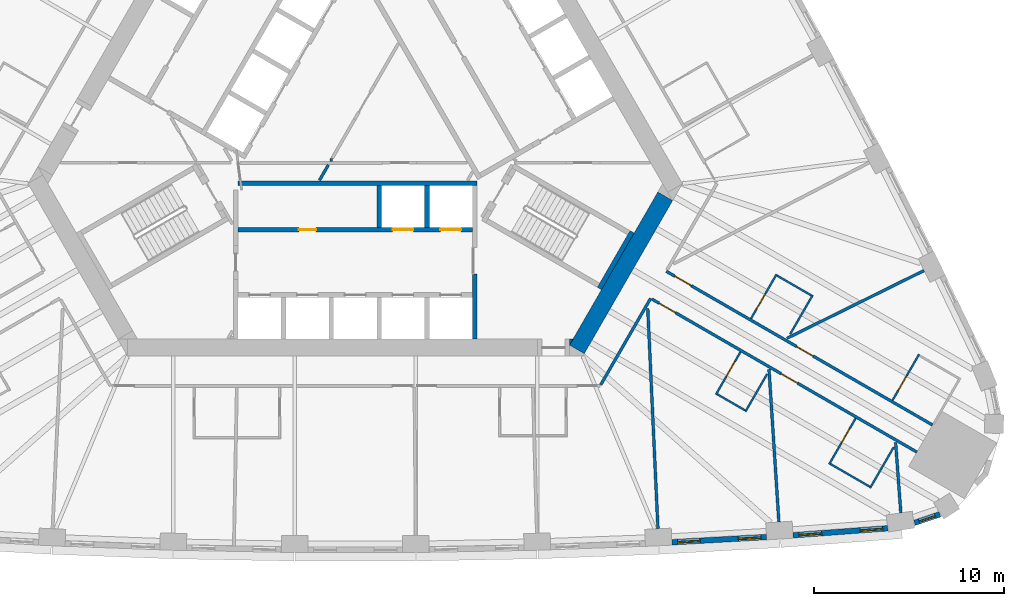
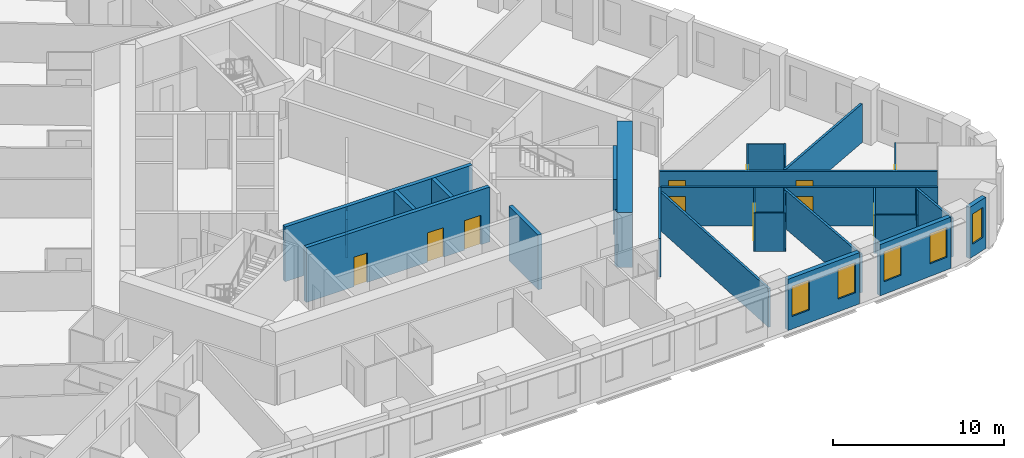
# One storey, part 7 of 13: 30 walls, 11 doors, 5 windows, 16 openings.
"""IFC4 building model written with IfcOpenShell, lengths in metres."""

from ifc_helpers import new_model, si_unit, direction, frame, frame_2d, origin, place, context, subcontext, project, spatial, polyline, rectangle, outline, extrude, material, layer, layer_set, type_object, element, fill, save


model = new_model("IFC4")

# Units and contexts
model_context = context("Model", 3, precision=1e-05, world=origin(), true_north=direction((0.0, 1.0)))
body_context = subcontext(model_context, "Body", "Model", "MODEL_VIEW")
ifc_project = project(units=[si_unit("LENGTHUNIT", "METRE"), si_unit("AREAUNIT", "SQUARE_METRE"), si_unit("VOLUMEUNIT", "CUBIC_METRE"), si_unit("PLANEANGLEUNIT", "RADIAN"), si_unit("MASSUNIT", "GRAM", prefix="KILO")], contexts=[model_context])

# Site, building, storey
site_placement = place(None, origin())
site = spatial("IfcSite", under=ifc_project, at=site_placement, CompositionType="ELEMENT")
building_placement = place(site_placement, origin())
building = spatial("IfcBuilding", under=site, at=building_placement, Name="Mestral Congress Tower", CompositionType="ELEMENT")
storey_placement = place(building_placement, frame((0.0, 0.0, 58.800048828125)))
storey = spatial("IfcBuildingStorey", under=building, at=storey_placement, Name="L13", CompositionType="ELEMENT", Elevation=58.800048828125)

# Walls
ifc_material_1 = material(Name="Fire-rated board partition")
ifc_layer_1 = layer(ifc_material_1, 0.14990234375)
ifc_layer_set_1 = layer_set([ifc_layer_1], Name="Fire-rated board partition")
wall_type_1 = type_object("IfcWallType", Name="Core partition 150", PredefinedType="PARTITIONING", material=ifc_layer_set_1)
wall_1_placement = place(storey_placement, frame((-1.886962890625, -3.71826171875, 0.0), z_axis=(0.0, 0.0, 1.0), x_axis=(0.499842898591, 0.866116087328, 0.0)))
element("IfcWall", 1, at=wall_1_placement, inside=storey, type_object=wall_type_1, Name="L13 core wall", PredefinedType="PARTITIONING", context=body_context, shape_type="SweptSolid", body=[
    extrude(rectangle(XDim=0.935791015625, YDim=0.14990234375, at=frame_2d((0.4677734375, 0.0))), origin(), (0.0, 0.0, 1.0), 2.75),
])
wall_2_placement = place(storey_placement, frame((-1.2119140625, -2.65087890625, 0.0), z_axis=(0.0, 0.0, 1.0), x_axis=(-1.0, 0.0, 0.0)))
element("IfcWall", 2, at=wall_2_placement, inside=storey, type_object=wall_type_1, Name="L13 core wall", PredefinedType="PARTITIONING", context=body_context, shape_type="SweptSolid", body=[
    extrude(rectangle(XDim=0.10791015625, YDim=0.14990234375, at=frame_2d((0.053955078125, 0.0))), origin(), (0.0, 0.0, 1.0), 2.75),
])
ifc_material_2 = material(Name="Concrete C60/75", Category="concrete")
ifc_layer_2 = layer(ifc_material_2, 0.89990234375)
ifc_layer_set_2 = layer_set([ifc_layer_2], Name="Concrete C60/75")
wall_type_2 = type_object("IfcWallType", Name="Core wall RC 900", PredefinedType="SOLIDWALL", material=ifc_layer_set_2)
wall_3_placement = place(storey_placement, frame((11.69482421875, -12.643798828125, 0.0), z_axis=(0.0, 0.0, 1.0), x_axis=(0.500010229568, 0.86601949766, 0.0)))
element("IfcWall", 3, at=wall_3_placement, inside=storey, type_object=wall_type_2, Name="L13 core wall", PredefinedType="SOLIDWALL", context=body_context, shape_type="SweptSolid", body=[
    extrude(rectangle(XDim=9.326416015625, YDim=0.89990234375, at=frame_2d((4.6630859375, 0.0))), origin(), (0.0, 0.0, 1.0), 3.89990234375),
])
wall_4_placement = place(storey_placement, origin())
element("IfcWall", 4, at=wall_4_placement, inside=storey, type_object=wall_type_2, Name="L13 core wall", PredefinedType="SOLIDWALL", context=body_context, shape_type="SweptSolid", body=[
    extrude(outline(polyline([(11.4892578125, -12.10009765625), (11.31201171875, -12.4072265625), (11.31201171875, -12.10009765625), (11.4892578125, -12.10009765625)])), origin(), (0.0, 0.0, 1.0), 3.89990234375),
])

# Wall, openings, windows
ifc_material_3 = material(Name="Precast concrete C40/50 with limestone facing", Category="masonry")
ifc_layer_3 = layer(ifc_material_3, 0.2900390625)
ifc_layer_set_3 = layer_set([ifc_layer_3], Name="Precast concrete C40/50 with limestone facing")
wall_type_3 = type_object("IfcWallType", Name="Facade stone wall 290", PredefinedType="SOLIDWALL", material=ifc_layer_set_3)
wall_5_placement = place(storey_placement, frame((16.7109375, -22.823974609375, 0.0), z_axis=(0.0, 0.0, 1.0), x_axis=(0.998464708705, 0.055391564976, 0.0)))
wall_5 = element("IfcWall", 5, at=wall_5_placement, inside=storey, type_object=wall_type_3, Name="Facade wall F0-07", PredefinedType="SOLIDWALL", context=body_context, shape_type="SweptSolid", body=[
    extrude(rectangle(XDim=4.998046875, YDim=0.2900390625, at=frame_2d((2.4990234375, 0.0))), origin(), (0.0, 0.0, 1.0), 3.64990234375),
])
opening_1_placement = place(wall_5_placement, frame((0.297119140625, 0.0, 0.89990234375)))
opening_1 = element("IfcOpeningElement", 6, at=opening_1_placement, cuts=wall_5, Name="Opening W1", PredefinedType="OPENING", context=body_context, shape_type="SweptSolid", body=[
    extrude(rectangle(XDim=1.199951171875, YDim=2.14990234375, at=frame_2d((0.60009765625, 1.074951171875))), frame((0.0, 0.155029296875, 0.0), z_axis=(0.0, -1.0, 0.0), x_axis=(1.0, 0.0, 0.0)), (0.0, 0.0, 1.0), 0.31005859375),
])
opening_2_placement = place(wall_5_placement, frame((3.501220703125, 0.0, 0.89990234375)))
opening_2 = element("IfcOpeningElement", 7, at=opening_2_placement, cuts=wall_5, Name="Opening W1", PredefinedType="OPENING", context=body_context, shape_type="SweptSolid", body=[
    extrude(rectangle(XDim=1.199951171875, YDim=2.14990234375, at=frame_2d((0.60009765625, 1.074951171875))), frame((0.0, 0.155029296875, 0.0), z_axis=(0.0, -1.0, 0.0), x_axis=(1.0, 0.0, 0.0)), (0.0, 0.0, 1.0), 0.31005859375),
])
ifc_material_4 = material(Name="Clear low-emissivity double glazing", Category="glass")
window_type_1 = type_object("IfcWindowType", Name="Facade punched window 1200 x 2150 sill 900", PartitioningType="DOUBLE_PANEL_VERTICAL", PredefinedType="WINDOW", material=ifc_material_4)
window_1_placement = place(opening_1_placement, origin())
window_1 = element("IfcWindow", 8, at=window_1_placement, inside=storey, type_object=window_type_1, Name="Window F0-07a", OverallHeight=2.14990234375, OverallWidth=1.199951171875, PartitioningType="DOUBLE_PANEL_VERTICAL", PredefinedType="WINDOW", context=body_context, shape_type="SweptSolid", body=[
    extrude(rectangle(XDim=1.199951171875, YDim=2.14990234375, at=frame_2d((0.60009765625, 1.074951171875))), frame((0.0, 0.01513671875, 0.0), z_axis=(0.0, -1.0, 0.0), x_axis=(1.0, 0.0, 0.0)), (0.0, 0.0, 1.0), 0.06005859375),
])
fill(opening_1, window_1)
window_2_placement = place(opening_2_placement, origin())
window_2 = element("IfcWindow", 9, at=window_2_placement, inside=storey, type_object=window_type_1, Name="Window F0-07b", OverallHeight=2.14990234375, OverallWidth=1.199951171875, PartitioningType="DOUBLE_PANEL_VERTICAL", PredefinedType="WINDOW", context=body_context, shape_type="SweptSolid", body=[
    extrude(rectangle(XDim=1.199951171875, YDim=2.14990234375, at=frame_2d((0.60009765625, 1.074951171875))), frame((0.0, 0.01513671875, 0.0), z_axis=(0.0, -1.0, 0.0), x_axis=(1.0, 0.0, 0.0)), (0.0, 0.0, 1.0), 0.06005859375),
])
fill(opening_2, window_2)

wall_6_placement = place(storey_placement, frame((23.10595703125, -22.4560546875, 0.0), z_axis=(0.0, 0.0, 1.0), x_axis=(0.997266290399, 0.073891447643, 0.0)))
wall_6 = element("IfcWall", 10, at=wall_6_placement, inside=storey, type_object=wall_type_3, Name="Facade wall F0-08", PredefinedType="SOLIDWALL", context=body_context, shape_type="SweptSolid", body=[
    extrude(rectangle(XDim=5.005615234375, YDim=0.2900390625, at=frame_2d((2.5029296875, 0.0))), origin(), (0.0, 0.0, 1.0), 3.64990234375),
])
opening_3_placement = place(wall_6_placement, frame((0.31005859375, 0.0, 0.89990234375)))
opening_3 = element("IfcOpeningElement", 11, at=opening_3_placement, cuts=wall_6, Name="Opening W1", PredefinedType="OPENING", context=body_context, shape_type="SweptSolid", body=[
    extrude(rectangle(XDim=1.199951171875, YDim=2.14990234375, at=frame_2d((0.60009765625, 1.074951171875))), frame((0.0, 0.155029296875, 0.0), z_axis=(0.0, -1.0, 0.0), x_axis=(1.0, 0.0, 0.0)), (0.0, 0.0, 1.0), 0.31005859375),
])
opening_4_placement = place(wall_6_placement, frame((3.540283203125, 0.0, 0.89990234375)))
opening_4 = element("IfcOpeningElement", 12, at=opening_4_placement, cuts=wall_6, Name="Opening W1", PredefinedType="OPENING", context=body_context, shape_type="SweptSolid", body=[
    extrude(rectangle(XDim=1.199951171875, YDim=2.14990234375, at=frame_2d((0.60009765625, 1.074951171875))), frame((0.0, 0.155029296875, 0.0), z_axis=(0.0, -1.0, 0.0), x_axis=(1.0, 0.0, 0.0)), (0.0, 0.0, 1.0), 0.31005859375),
])
window_3_placement = place(opening_3_placement, origin())
window_3 = element("IfcWindow", 13, at=window_3_placement, inside=storey, type_object=window_type_1, Name="Window F0-08a", OverallHeight=2.14990234375, OverallWidth=1.199951171875, PartitioningType="DOUBLE_PANEL_VERTICAL", PredefinedType="WINDOW", context=body_context, shape_type="SweptSolid", body=[
    extrude(rectangle(XDim=1.199951171875, YDim=2.14990234375, at=frame_2d((0.60009765625, 1.074951171875))), frame((0.0, 0.01513671875, 0.0), z_axis=(0.0, -1.0, 0.0), x_axis=(1.0, 0.0, 0.0)), (0.0, 0.0, 1.0), 0.06005859375),
])
fill(opening_3, window_3)
window_4_placement = place(opening_4_placement, origin())
window_4 = element("IfcWindow", 14, at=window_4_placement, inside=storey, type_object=window_type_1, Name="Window F0-08b", OverallHeight=2.14990234375, OverallWidth=1.199951171875, PartitioningType="DOUBLE_PANEL_VERTICAL", PredefinedType="WINDOW", context=body_context, shape_type="SweptSolid", body=[
    extrude(rectangle(XDim=1.199951171875, YDim=2.14990234375, at=frame_2d((0.60009765625, 1.074951171875))), frame((0.0, 0.01513671875, 0.0), z_axis=(0.0, -1.0, 0.0), x_axis=(1.0, 0.0, 0.0)), (0.0, 0.0, 1.0), 0.06005859375),
])
fill(opening_4, window_4)

# Wall, opening, window
wall_7_placement = place(storey_placement, frame((29.51171875, -21.80224609375, 0.0), z_axis=(0.0, 0.0, 1.0), x_axis=(0.947903891592, 0.318556450734, 0.0)))
wall_7 = element("IfcWall", 15, at=wall_7_placement, inside=storey, type_object=wall_type_3, Name="Facade wall K0-0", PredefinedType="SOLIDWALL", context=body_context, shape_type="SweptSolid", body=[
    extrude(rectangle(XDim=1.414794921875, YDim=0.2900390625, at=frame_2d((0.70751953125, 0.0))), origin(), (0.0, 0.0, 1.0), 3.64990234375),
])
opening_5_placement = place(wall_7_placement, frame((0.25732421875, 0.0, 0.89990234375)))
opening_5 = element("IfcOpeningElement", 16, at=opening_5_placement, cuts=wall_7, Name="Opening W3", PredefinedType="OPENING", context=body_context, shape_type="SweptSolid", body=[
    extrude(rectangle(XDim=0.89990234375, YDim=2.14990234375, at=frame_2d((0.449951171875, 1.074951171875))), frame((0.0, 0.155029296875, 0.0), z_axis=(0.0, -1.0, 0.0), x_axis=(1.0, 0.0, 0.0)), (0.0, 0.0, 1.0), 0.31005859375),
])
window_type_2 = type_object("IfcWindowType", Name="Facade punched window 900 x 2150 sill 900", PartitioningType="SINGLE_PANEL", PredefinedType="WINDOW", material=ifc_material_4)
window_5_placement = place(opening_5_placement, origin())
window_5 = element("IfcWindow", 17, at=window_5_placement, inside=storey, type_object=window_type_2, Name="Window K0-0", OverallHeight=2.14990234375, OverallWidth=0.89990234375, PartitioningType="SINGLE_PANEL", PredefinedType="WINDOW", context=body_context, shape_type="SweptSolid", body=[
    extrude(rectangle(XDim=0.89990234375, YDim=2.14990234375, at=frame_2d((0.449951171875, 1.074951171875))), frame((0.0, 0.01513671875, 0.0), z_axis=(0.0, -1.0, 0.0), x_axis=(1.0, 0.0, 0.0)), (0.0, 0.0, 1.0), 0.06005859375),
])
fill(opening_5, window_5)

# Wall, opening, door
ifc_material_5 = material(Name="Gypsum board partition on metal studs with mineral wool", Category="composite")
ifc_layer_4 = layer(ifc_material_5, 0.10009765625)
ifc_layer_set_4 = layer_set([ifc_layer_4], Name="Gypsum board partition on metal studs with mineral wool")
wall_type_4 = type_object("IfcWallType", Name="Hotel partition wall 100", PredefinedType="PARTITIONING", material=ifc_layer_set_4)
wall_8_placement = place(storey_placement, frame((20.330078125, -12.77685546875, 0.0), z_axis=(0.0, 0.0, 1.0), x_axis=(-0.500006934395, -0.866021400173, 0.0)))
wall_8 = element("IfcWall", 18, at=wall_8_placement, inside=storey, type_object=wall_type_4, Name="L13-h-pod07a", PredefinedType="PARTITIONING", context=body_context, shape_type="SweptSolid", body=[
    extrude(rectangle(XDim=2.60009765625, YDim=0.10009765625, at=frame_2d((1.300048828125, 0.0))), origin(), (0.0, 0.0, 1.0), 2.75),
])
opening_6_placement = place(wall_8_placement, frame((0.60009765625, 0.0, 0.0)))
opening_6 = element("IfcOpeningElement", 19, at=opening_6_placement, cuts=wall_8, Name="Opening H03-014", PredefinedType="OPENING", context=body_context, shape_type="SweptSolid", body=[
    extrude(rectangle(XDim=0.89990234375, YDim=2.10009765625, at=frame_2d((0.449951171875, 1.050048828125))), frame((0.0, 0.06005859375, 0.0), z_axis=(0.0, -1.0, 0.0), x_axis=(1.0, 0.0, 0.0)), (0.0, 0.0, 1.0), 0.1201171875),
])
ifc_material_6 = material(Name="Timber veneer door leaf in timber frame", Category="wood")
door_type_1 = type_object("IfcDoorType", Name="Bathroom door 900", OperationType="SINGLE_SWING_LEFT", PredefinedType="DOOR", material=ifc_material_6)
door_1_placement = place(opening_6_placement, origin())
door_1 = element("IfcDoor", 20, at=door_1_placement, inside=storey, type_object=door_type_1, Name="L13-h-d014", OperationType="SINGLE_SWING_LEFT", OverallHeight=2.10009765625, OverallWidth=0.89990234375, PredefinedType="DOOR", context=body_context, shape_type="SweptSolid", body=[
    extrude(rectangle(XDim=0.89990234375, YDim=2.10009765625, at=frame_2d((0.449951171875, 1.050048828125))), frame((0.0, 0.02490234375, 0.0), z_axis=(0.0, -1.0, 0.0), x_axis=(1.0, 0.0, 0.0)), (0.0, 0.0, 1.0), 0.050048828125),
])
fill(opening_6, door_1)

# Walls
wall_9_placement = place(storey_placement, frame((19.098388671875, -15.01025390625, 0.0), z_axis=(0.0, 0.0, 1.0), x_axis=(0.86605165483, -0.499954529098, 0.0)))
element("IfcWall", 21, at=wall_9_placement, inside=storey, type_object=wall_type_4, Name="L13-h-pod07b", PredefinedType="PARTITIONING", context=body_context, shape_type="SweptSolid", body=[
    extrude(rectangle(XDim=1.699951171875, YDim=0.10009765625, at=frame_2d((0.85009765625, 0.0))), origin(), (0.0, 0.0, 1.0), 2.75),
])
wall_10_placement = place(storey_placement, frame((21.73388671875, -13.9453125, 0.0), z_axis=(0.0, 0.0, 1.0), x_axis=(-0.500014693593, -0.866016920268, 0.0)))
element("IfcWall", 22, at=wall_10_placement, inside=storey, type_object=wall_type_4, Name="L13-h-pod07c", PredefinedType="PARTITIONING", context=body_context, shape_type="SweptSolid", body=[
    extrude(rectangle(XDim=2.2900390625, YDim=0.10009765625, at=frame_2d((1.14501953125, 0.0))), origin(), (0.0, 0.0, 1.0), 2.75),
])

# Wall, opening, door
wall_11_placement = place(storey_placement, frame((26.40478515625, -16.2841796875, 0.0), z_axis=(0.0, 0.0, 1.0), x_axis=(-0.49998411664, -0.866034573852, 0.0)))
wall_11 = element("IfcWall", 23, at=wall_11_placement, inside=storey, type_object=wall_type_4, Name="L13-h-pod08a", PredefinedType="PARTITIONING", context=body_context, shape_type="SweptSolid", body=[
    extrude(rectangle(XDim=2.7998046875, YDim=0.10009765625, at=frame_2d((1.39990234375, 0.0))), origin(), (0.0, 0.0, 1.0), 2.75),
])
opening_7_placement = place(wall_11_placement, frame((0.60009765625, 0.0, 0.0)))
opening_7 = element("IfcOpeningElement", 24, at=opening_7_placement, cuts=wall_11, Name="Opening H03-016", PredefinedType="OPENING", context=body_context, shape_type="SweptSolid", body=[
    extrude(rectangle(XDim=0.89990234375, YDim=2.10009765625, at=frame_2d((0.449951171875, 1.050048828125))), frame((0.0, 0.06005859375, 0.0), z_axis=(0.0, -1.0, 0.0), x_axis=(1.0, 0.0, 0.0)), (0.0, 0.0, 1.0), 0.1201171875),
])
door_2_placement = place(opening_7_placement, origin())
door_2 = element("IfcDoor", 25, at=door_2_placement, inside=storey, type_object=door_type_1, Name="L13-h-d016", OperationType="SINGLE_SWING_LEFT", OverallHeight=2.10009765625, OverallWidth=0.89990234375, PredefinedType="DOOR", context=body_context, shape_type="SweptSolid", body=[
    extrude(rectangle(XDim=0.89990234375, YDim=2.10009765625, at=frame_2d((0.449951171875, 1.050048828125))), frame((0.0, 0.02490234375, 0.0), z_axis=(0.0, -1.0, 0.0), x_axis=(1.0, 0.0, 0.0)), (0.0, 0.0, 1.0), 0.050048828125),
])
fill(opening_7, door_2)

# Walls
wall_12_placement = place(storey_placement, frame((25.0732421875, -18.690673828125, 0.0), z_axis=(0.0, 0.0, 1.0), x_axis=(0.866024647952, -0.500001309137, 0.0)))
element("IfcWall", 26, at=wall_12_placement, inside=storey, type_object=wall_type_4, Name="L13-h-pod08b", PredefinedType="PARTITIONING", context=body_context, shape_type="SweptSolid", body=[
    extrude(rectangle(XDim=2.39990234375, YDim=0.10009765625, at=frame_2d((1.199951171875, 0.0))), origin(), (0.0, 0.0, 1.0), 2.75),
])
wall_13_placement = place(storey_placement, frame((28.414794921875, -17.802490234375, 0.0), z_axis=(0.0, 0.0, 1.0), x_axis=(-0.499945955465, -0.866056604163, 0.0)))
element("IfcWall", 27, at=wall_13_placement, inside=storey, type_object=wall_type_4, Name="L13-h-pod08c", PredefinedType="PARTITIONING", context=body_context, shape_type="SweptSolid", body=[
    extrude(rectangle(XDim=2.489990234375, YDim=0.10009765625, at=frame_2d((1.2451171875, 0.0))), origin(), (0.0, 0.0, 1.0), 2.75),
])

# Wall, opening, door
wall_14_placement = place(storey_placement, frame((29.75244140625, -12.9052734375, 0.0), z_axis=(0.0, 0.0, 1.0), x_axis=(-0.500049511043, -0.865996816683, 0.0)))
wall_14 = element("IfcWall", 28, at=wall_14_placement, inside=storey, type_object=wall_type_4, Name="L13-h-pod09a", PredefinedType="PARTITIONING", context=body_context, shape_type="SweptSolid", body=[
    extrude(rectangle(XDim=2.800048828125, YDim=0.10009765625, at=frame_2d((1.39990234375, 0.0))), origin(), (0.0, 0.0, 1.0), 2.75),
])
opening_8_placement = place(wall_14_placement, frame((1.300048828125, 0.0, 0.0)))
opening_8 = element("IfcOpeningElement", 29, at=opening_8_placement, cuts=wall_14, Name="Opening H03-018", PredefinedType="OPENING", context=body_context, shape_type="SweptSolid", body=[
    extrude(rectangle(XDim=0.89990234375, YDim=2.10009765625, at=frame_2d((0.449951171875, 1.050048828125))), frame((0.0, 0.06005859375, 0.0), z_axis=(0.0, -1.0, 0.0), x_axis=(1.0, 0.0, 0.0)), (0.0, 0.0, 1.0), 0.1201171875),
])
door_3_placement = place(opening_8_placement, origin())
door_3 = element("IfcDoor", 30, at=door_3_placement, inside=storey, type_object=door_type_1, Name="L13-h-d018", OperationType="SINGLE_SWING_RIGHT", OverallHeight=2.10009765625, OverallWidth=0.89990234375, PredefinedType="DOOR", context=body_context, shape_type="SweptSolid", body=[
    extrude(rectangle(XDim=0.89990234375, YDim=2.10009765625, at=frame_2d((0.449951171875, 1.050048828125))), frame((0.0, 0.02490234375, 0.0), z_axis=(0.0, -1.0, 0.0), x_axis=(1.0, 0.0, 0.0)), (0.0, 0.0, 1.0), 0.050048828125),
])
fill(opening_8, door_3)

wall_15_placement = place(storey_placement, frame((22.23388671875, -8.6796875, 0.0), z_axis=(0.0, 0.0, 1.0), x_axis=(-0.50000943426, -0.866019956843, 0.0)))
wall_15 = element("IfcWall", 31, at=wall_15_placement, inside=storey, type_object=wall_type_4, Name="L13-h-pod10a", PredefinedType="PARTITIONING", context=body_context, shape_type="SweptSolid", body=[
    extrude(rectangle(XDim=2.7001953125, YDim=0.10009765625, at=frame_2d((1.35009765625, 0.0))), origin(), (0.0, 0.0, 1.0), 2.75),
])
opening_9_placement = place(wall_15_placement, frame((1.199951171875, 0.0, 0.0)))
opening_9 = element("IfcOpeningElement", 32, at=opening_9_placement, cuts=wall_15, Name="Opening H03-020", PredefinedType="OPENING", context=body_context, shape_type="SweptSolid", body=[
    extrude(rectangle(XDim=0.89990234375, YDim=2.10009765625, at=frame_2d((0.449951171875, 1.050048828125))), frame((0.0, 0.06005859375, 0.0), z_axis=(0.0, -1.0, 0.0), x_axis=(1.0, 0.0, 0.0)), (0.0, 0.0, 1.0), 0.1201171875),
])
door_4_placement = place(opening_9_placement, origin())
door_4 = element("IfcDoor", 33, at=door_4_placement, inside=storey, type_object=door_type_1, Name="L13-h-d020", OperationType="SINGLE_SWING_LEFT", OverallHeight=2.10009765625, OverallWidth=0.89990234375, PredefinedType="DOOR", context=body_context, shape_type="SweptSolid", body=[
    extrude(rectangle(XDim=0.89990234375, YDim=2.10009765625, at=frame_2d((0.449951171875, 1.050048828125))), frame((0.0, 0.02490234375, 0.0), z_axis=(0.0, -1.0, 0.0), x_axis=(1.0, 0.0, 0.0)), (0.0, 0.0, 1.0), 0.050048828125),
])
fill(opening_9, door_4)

# Walls
wall_16_placement = place(storey_placement, frame((22.252197265625, -8.748046875, 0.0), z_axis=(0.0, 0.0, 1.0), x_axis=(0.866009402589, -0.500027713859, 0.0)))
element("IfcWall", 34, at=wall_16_placement, inside=storey, type_object=wall_type_4, Name="L13-h-pod10b", PredefinedType="PARTITIONING", context=body_context, shape_type="SweptSolid", body=[
    extrude(rectangle(XDim=2.10009765625, YDim=0.10009765625, at=frame_2d((1.050048828125, 0.0))), origin(), (0.0, 0.0, 1.0), 2.75),
])
wall_17_placement = place(storey_placement, frame((22.944091796875, -11.849609375, 0.0), z_axis=(0.0, 0.0, 1.0), x_axis=(0.499940577336, 0.866059708757, 0.0)))
element("IfcWall", 35, at=wall_17_placement, inside=storey, type_object=wall_type_4, Name="L13-h-pod10c", PredefinedType="PARTITIONING", context=body_context, shape_type="SweptSolid", body=[
    extrude(rectangle(XDim=2.389892578125, YDim=0.10009765625, at=frame_2d((1.19482421875, 0.0))), origin(), (0.0, 0.0, 1.0), 2.75),
])

# Wall, openings, doors
ifc_layer_5 = layer(ifc_material_5, 0.14990234375)
ifc_layer_set_5 = layer_set([ifc_layer_5], Name="Gypsum board partition on metal studs with mineral wool")
wall_type_5 = type_object("IfcWallType", Name="Hotel partition wall 150", PredefinedType="PARTITIONING", material=ifc_layer_set_5)
wall_18_placement = place(storey_placement, frame((16.412353515625, -8.52294921875, 0.0), z_axis=(0.0, 0.0, 1.0), x_axis=(0.866022197818, -0.500005552856, 0.0)))
wall_18 = element("IfcWall", 36, at=wall_18_placement, inside=storey, type_object=wall_type_5, Name="L13-h-cw01", PredefinedType="PARTITIONING", context=body_context, shape_type="SweptSolid", body=[
    extrude(rectangle(XDim=16.223876953125, YDim=0.14990234375, at=frame_2d((8.11181640625, 0.0))), origin(), (0.0, 0.0, 1.0), 2.75),
])
opening_10_placement = place(wall_18_placement, frame((7.94921875, 0.0, 0.0)))
opening_10 = element("IfcOpeningElement", 37, at=opening_10_placement, cuts=wall_18, Name="Opening H03-017", PredefinedType="OPENING", context=body_context, shape_type="SweptSolid", body=[
    extrude(rectangle(XDim=1.0, YDim=2.10009765625, at=frame_2d((0.5, 1.050048828125))), frame((0.0, 0.0849609375, 0.0), z_axis=(0.0, -1.0, 0.0), x_axis=(1.0, 0.0, 0.0)), (0.0, 0.0, 1.0), 0.169921875),
])
opening_11_placement = place(wall_18_placement, frame((0.526123046875, 0.0, 0.0)))
opening_11 = element("IfcOpeningElement", 38, at=opening_11_placement, cuts=wall_18, Name="Opening H03-019", PredefinedType="OPENING", context=body_context, shape_type="SweptSolid", body=[
    extrude(rectangle(XDim=1.0, YDim=2.10009765625, at=frame_2d((0.5, 1.050048828125))), frame((0.0, 0.0849609375, 0.0), z_axis=(0.0, -1.0, 0.0), x_axis=(1.0, 0.0, 0.0)), (0.0, 0.0, 1.0), 0.169921875),
])
ifc_material_7 = material(Name="Timber veneer door leaf in metal frame", Category="wood")
door_type_2 = type_object("IfcDoorType", Name="Guest room entrance door 1000", OperationType="SINGLE_SWING_LEFT", PredefinedType="DOOR", material=ifc_material_7)
door_5_placement = place(opening_10_placement, origin())
door_5 = element("IfcDoor", 39, at=door_5_placement, inside=storey, type_object=door_type_2, Name="L13-h-d017", OperationType="SINGLE_SWING_LEFT", OverallHeight=2.10009765625, OverallWidth=1.0, PredefinedType="DOOR", context=body_context, shape_type="SweptSolid", body=[
    extrude(rectangle(XDim=1.0, YDim=2.10009765625, at=frame_2d((0.5, 1.050048828125))), frame((0.0, 0.02490234375, 0.0), z_axis=(0.0, -1.0, 0.0), x_axis=(1.0, 0.0, 0.0)), (0.0, 0.0, 1.0), 0.050048828125),
])
fill(opening_10, door_5)
door_6_placement = place(opening_11_placement, origin())
door_6 = element("IfcDoor", 40, at=door_6_placement, inside=storey, type_object=door_type_2, Name="L13-h-d019", OperationType="SINGLE_SWING_LEFT", OverallHeight=2.10009765625, OverallWidth=1.0, PredefinedType="DOOR", context=body_context, shape_type="SweptSolid", body=[
    extrude(rectangle(XDim=1.0, YDim=2.10009765625, at=frame_2d((0.5, 1.050048828125))), frame((0.0, 0.02490234375, 0.0), z_axis=(0.0, -1.0, 0.0), x_axis=(1.0, 0.0, 0.0)), (0.0, 0.0, 1.0), 0.050048828125),
])
fill(opening_11, door_6)

# Wall
wall_19_placement = place(storey_placement, frame((15.58740234375, -9.951904296875, 0.0), z_axis=(0.0, 0.0, 1.0), x_axis=(-0.500016618951, -0.866015808616, 0.0)))
element("IfcWall", 41, at=wall_19_placement, inside=storey, type_object=wall_type_5, Name="L13-h-cw14", PredefinedType="PARTITIONING", context=body_context, shape_type="SweptSolid", body=[
    extrude(rectangle(XDim=5.268310546875, YDim=0.14990234375, at=frame_2d((2.63427734375, 0.0))), origin(), (0.0, 0.0, 1.0), 2.75),
])

# Wall, openings, doors
wall_20_placement = place(storey_placement, frame((29.6376953125, -18.06396484375, 0.0), z_axis=(0.0, 0.0, 1.0), x_axis=(-0.866026175601, 0.499998663172, 0.0)))
wall_20 = element("IfcWall", 42, at=wall_20_placement, inside=storey, type_object=wall_type_5, Name="L13-h-cw15", PredefinedType="PARTITIONING", context=body_context, shape_type="SweptSolid", body=[
    extrude(rectangle(XDim=16.14404296875, YDim=0.14990234375, at=frame_2d((8.072021484375, 0.0))), origin(), (0.0, 0.0, 1.0), 2.75),
])
opening_12_placement = place(wall_20_placement, frame((14.7138671875, 0.0, 0.0)))
opening_12 = element("IfcOpeningElement", 43, at=opening_12_placement, cuts=wall_20, Name="Opening H03-013", PredefinedType="OPENING", context=body_context, shape_type="SweptSolid", body=[
    extrude(rectangle(XDim=1.0, YDim=2.10009765625, at=frame_2d((0.5, 1.050048828125))), frame((0.0, 0.0849609375, 0.0), z_axis=(0.0, -1.0, 0.0), x_axis=(1.0, 0.0, 0.0)), (0.0, 0.0, 1.0), 0.169921875),
])
opening_13_placement = place(wall_20_placement, frame((7.275146484375, 0.0, 0.0)))
opening_13 = element("IfcOpeningElement", 44, at=opening_13_placement, cuts=wall_20, Name="Opening H03-015", PredefinedType="OPENING", context=body_context, shape_type="SweptSolid", body=[
    extrude(rectangle(XDim=1.0, YDim=2.10009765625, at=frame_2d((0.5, 1.050048828125))), frame((0.0, 0.0849609375, 0.0), z_axis=(0.0, -1.0, 0.0), x_axis=(1.0, 0.0, 0.0)), (0.0, 0.0, 1.0), 0.169921875),
])
door_7_placement = place(opening_12_placement, origin())
door_7 = element("IfcDoor", 45, at=door_7_placement, inside=storey, type_object=door_type_2, Name="L13-h-d013", OperationType="SINGLE_SWING_RIGHT", OverallHeight=2.10009765625, OverallWidth=1.0, PredefinedType="DOOR", context=body_context, shape_type="SweptSolid", body=[
    extrude(rectangle(XDim=1.0, YDim=2.10009765625, at=frame_2d((0.5, 1.050048828125))), frame((0.0, 0.02490234375, 0.0), z_axis=(0.0, -1.0, 0.0), x_axis=(1.0, 0.0, 0.0)), (0.0, 0.0, 1.0), 0.050048828125),
])
fill(opening_12, door_7)
door_8_placement = place(opening_13_placement, origin())
door_8 = element("IfcDoor", 46, at=door_8_placement, inside=storey, type_object=door_type_2, Name="L13-h-d015", OperationType="SINGLE_SWING_RIGHT", OverallHeight=2.10009765625, OverallWidth=1.0, PredefinedType="DOOR", context=body_context, shape_type="SweptSolid", body=[
    extrude(rectangle(XDim=1.0, YDim=2.10009765625, at=frame_2d((0.5, 1.050048828125))), frame((0.0, 0.02490234375, 0.0), z_axis=(0.0, -1.0, 0.0), x_axis=(1.0, 0.0, 0.0)), (0.0, 0.0, 1.0), 0.050048828125),
])
fill(opening_13, door_8)

# Walls
wall_21_placement = place(storey_placement, frame((15.973388671875, -22.10888671875, 0.0), z_axis=(0.0, 0.0, 1.0), x_axis=(-0.046191717129, 0.998932592955, 0.0)))
element("IfcWall", 47, at=wall_21_placement, inside=storey, type_object=wall_type_5, Name="L13-h-pw22", PredefinedType="PARTITIONING", context=body_context, shape_type="SweptSolid", body=[
    extrude(rectangle(XDim=11.638427734375, YDim=0.14990234375, at=frame_2d((5.8193359375, 0.0))), origin(), (0.0, 0.0, 1.0), 2.75),
])
for number, where, z_axis, x_axis, name in (
    (48, (22.355224609375, -21.75439453125, 0.0), (0.0, 0.0, 1.0), (-0.064639533143, 0.997908678565, 0.0), "L13-h-pw25"),
    (49, (30.017578125, -8.48291015625, 0.0), (0.0, 0.0, 1.0), (-0.896544505264, -0.44295366584, 0.0), "L13-h-pw26"),
):
    element("IfcWall", number, at=place(storey_placement, frame(where, z_axis=z_axis, x_axis=x_axis)), inside=storey, type_object=wall_type_5, Name=name, PredefinedType="PARTITIONING", context=body_context, shape_type="SweptSolid", body=[
        extrude(rectangle(XDim=8.078857421875, YDim=0.14990234375, at=frame_2d((4.03955078125, 0.0))), origin(), (0.0, 0.0, 1.0), 2.75),
    ])
wall_22_placement = place(storey_placement, frame((28.78955078125, -21.272705078125, 0.0), z_axis=(0.0, 0.0, 1.0), x_axis=(-0.07382592098, 0.997271143366, 0.0)))
element("IfcWall", 50, at=wall_22_placement, inside=storey, type_object=wall_type_5, Name="L13-h-pw27", PredefinedType="PARTITIONING", context=body_context, shape_type="SweptSolid", body=[
    extrude(rectangle(XDim=3.733642578125, YDim=0.14990234375, at=frame_2d((1.86669921875, 0.0))), origin(), (0.0, 0.0, 1.0), 2.75),
])
ifc_layer_6 = layer(ifc_material_2, 0.25)
ifc_layer_set_6 = layer_set([ifc_layer_6], Name="Concrete C60/75")
wall_type_6 = type_object("IfcWallType", Name="Shaft wall RC 250", PredefinedType="SOLIDWALL", material=ifc_layer_set_6)
wall_23_placement = place(storey_placement, frame((-6.189697265625, -3.875, 0.0), z_axis=(0.0, 0.0, 1.0), x_axis=(1.0, 0.0, 0.0)))
element("IfcWall", 51, at=wall_23_placement, inside=storey, type_object=wall_type_6, Name="L13 core wall", PredefinedType="SOLIDWALL", context=body_context, shape_type="SweptSolid", body=[
    extrude(rectangle(XDim=12.61474609375, YDim=0.25, at=frame_2d((6.307373046875, 0.0))), origin(), (0.0, 0.0, 1.0), 3.89990234375),
])
wall_24_placement = place(storey_placement, frame((6.300048828125, -8.669921875, 0.0), z_axis=(0.0, 0.0, 1.0), x_axis=(0.0, -1.0, 0.0)))
element("IfcWall", 52, at=wall_24_placement, inside=storey, type_object=wall_type_6, Name="L13 core wall", PredefinedType="SOLIDWALL", context=body_context, shape_type="SweptSolid", body=[
    extrude(rectangle(XDim=3.43017578125, YDim=0.25, at=frame_2d((1.715087890625, 0.0))), origin(), (0.0, 0.0, 1.0), 3.89990234375),
])
for number, where, z_axis, x_axis, name in (
    (53, (3.780029296875, -4.0, 0.0), (0.0, 0.0, 1.0), (0.0, -1.0, 0.0), "L13 core wall"),
    (54, (1.260009765625, -4.0, 0.0), (0.0, 0.0, 1.0), (0.0, -1.0, 0.0), "L13 core wall"),
):
    element("IfcWall", number, at=place(storey_placement, frame(where, z_axis=z_axis, x_axis=x_axis)), inside=storey, type_object=wall_type_6, Name=name, PredefinedType="SOLIDWALL", context=body_context, shape_type="SweptSolid", body=[
        extrude(rectangle(XDim=2.199951171875, YDim=0.25, at=frame_2d((1.10009765625, 0.0))), origin(), (0.0, 0.0, 1.0), 3.89990234375),
    ])

# Wall, openings, doors
wall_25_placement = place(storey_placement, frame((-6.175048828125, -6.324951171875, 0.0), z_axis=(0.0, 0.0, 1.0), x_axis=(1.0, 0.0, 0.0)))
wall_25 = element("IfcWall", 55, at=wall_25_placement, inside=storey, type_object=wall_type_6, Name="L13 door wall", PredefinedType="SOLIDWALL", context=body_context, shape_type="SweptSolid", body=[
    extrude(rectangle(XDim=12.35009765625, YDim=0.25, at=frame_2d((6.175048828125, 0.0))), origin(), (0.0, 0.0, 1.0), 3.89990234375),
])
opening_14_placement = place(wall_25_placement, frame((3.205078125, 0.0, 0.0)))
opening_14 = element("IfcOpeningElement", 56, at=opening_14_placement, cuts=wall_25, Name="Opening SR-SOB1", PredefinedType="OPENING", context=body_context, shape_type="SweptSolid", body=[
    extrude(rectangle(XDim=0.89990234375, YDim=2.10009765625, at=frame_2d((0.449951171875, 1.050048828125))), frame((0.0, 0.135009765625, 0.0), z_axis=(0.0, -1.0, 0.0), x_axis=(1.0, 0.0, 0.0)), (0.0, 0.0, 1.0), 0.27001953125),
])
opening_15_placement = place(wall_25_placement, frame((8.14501953125, 0.0, 0.0)))
opening_15 = element("IfcOpeningElement", 57, at=opening_15_placement, cuts=wall_25, Name="Opening LD-SOB4", PredefinedType="OPENING", context=body_context, shape_type="SweptSolid", body=[
    extrude(rectangle(XDim=1.10009765625, YDim=2.10009765625, at=frame_2d((0.550048828125, 1.050048828125))), frame((0.0, 0.135009765625, 0.0), z_axis=(0.0, -1.0, 0.0), x_axis=(1.0, 0.0, 0.0)), (0.0, 0.0, 1.0), 0.27001953125),
])
opening_16_placement = place(wall_25_placement, frame((10.6650390625, 0.0, 0.0)))
opening_16 = element("IfcOpeningElement", 58, at=opening_16_placement, cuts=wall_25, Name="Opening LD-SOB5", PredefinedType="OPENING", context=body_context, shape_type="SweptSolid", body=[
    extrude(rectangle(XDim=1.10009765625, YDim=2.10009765625, at=frame_2d((0.550048828125, 1.050048828125))), frame((0.0, 0.135009765625, 0.0), z_axis=(0.0, -1.0, 0.0), x_axis=(1.0, 0.0, 0.0)), (0.0, 0.0, 1.0), 0.27001953125),
])
ifc_material_8 = material(Name="Fire-rated steel door set", Category="steel")
door_type_3 = type_object("IfcDoorType", Name="Core door LD 1100x2100", OperationType="DOUBLE_DOOR_SLIDING", PredefinedType="DOOR", material=ifc_material_8)
door_9_placement = place(opening_15_placement, origin())
door_9 = element("IfcDoor", 59, at=door_9_placement, inside=storey, type_object=door_type_3, Name="Door LD-SOB4", OperationType="DOUBLE_DOOR_SLIDING", OverallHeight=2.10009765625, OverallWidth=1.10009765625, PredefinedType="DOOR", context=body_context, shape_type="SweptSolid", body=[
    extrude(rectangle(XDim=1.10009765625, YDim=2.10009765625, at=frame_2d((0.550048828125, 1.050048828125))), frame((0.0, 0.02490234375, 0.0), z_axis=(0.0, -1.0, 0.0), x_axis=(1.0, 0.0, 0.0)), (0.0, 0.0, 1.0), 0.050048828125),
])
fill(opening_15, door_9)
door_10_placement = place(opening_16_placement, origin())
door_10 = element("IfcDoor", 60, at=door_10_placement, inside=storey, type_object=door_type_3, Name="Door LD-SOB5", OperationType="DOUBLE_DOOR_SLIDING", OverallHeight=2.10009765625, OverallWidth=1.10009765625, PredefinedType="DOOR", context=body_context, shape_type="SweptSolid", body=[
    extrude(rectangle(XDim=1.10009765625, YDim=2.10009765625, at=frame_2d((0.550048828125, 1.050048828125))), frame((0.0, 0.02490234375, 0.0), z_axis=(0.0, -1.0, 0.0), x_axis=(1.0, 0.0, 0.0)), (0.0, 0.0, 1.0), 0.050048828125),
])
fill(opening_16, door_10)
door_type_4 = type_object("IfcDoorType", Name="Core door SR 900x2100", OperationType="SINGLE_SWING_LEFT", PredefinedType="DOOR", material=ifc_material_8)
door_11_placement = place(opening_14_placement, origin())
door_11 = element("IfcDoor", 61, at=door_11_placement, inside=storey, type_object=door_type_4, Name="Door SR-SOB1", OperationType="SINGLE_SWING_LEFT", OverallHeight=2.10009765625, OverallWidth=0.89990234375, PredefinedType="DOOR", context=body_context, shape_type="SweptSolid", body=[
    extrude(rectangle(XDim=0.89990234375, YDim=2.10009765625, at=frame_2d((0.449951171875, 1.050048828125))), frame((0.0, 0.02490234375, 0.0), z_axis=(0.0, -1.0, 0.0), x_axis=(1.0, 0.0, 0.0)), (0.0, 0.0, 1.0), 0.050048828125),
])
fill(opening_14, door_11)

# Wall
ifc_layer_7 = layer(ifc_material_2, 0.25)
ifc_layer_set_7 = layer_set([ifc_layer_7], Name="Concrete C60/75")
wall_type_7 = type_object("IfcWallType", Name="Stair wall RC 250", PredefinedType="SOLIDWALL", material=ifc_layer_set_7)
wall_26_placement = place(storey_placement, frame((12.885498046875, -9.431396484375, 0.0), z_axis=(0.0, 0.0, 1.0), x_axis=(0.500020560727, 0.866013532718, 0.0)))
element("IfcWall", 62, at=wall_26_placement, inside=storey, type_object=wall_type_7, Name="L13 core wall", PredefinedType="SOLIDWALL", context=body_context, shape_type="SweptSolid", body=[
    extrude(rectangle(XDim=3.449951171875, YDim=0.25, at=frame_2d((1.72509765625, 0.0))), origin(), (0.0, 0.0, 1.0), 3.89990234375),
])

save(model, "model.ifc")
